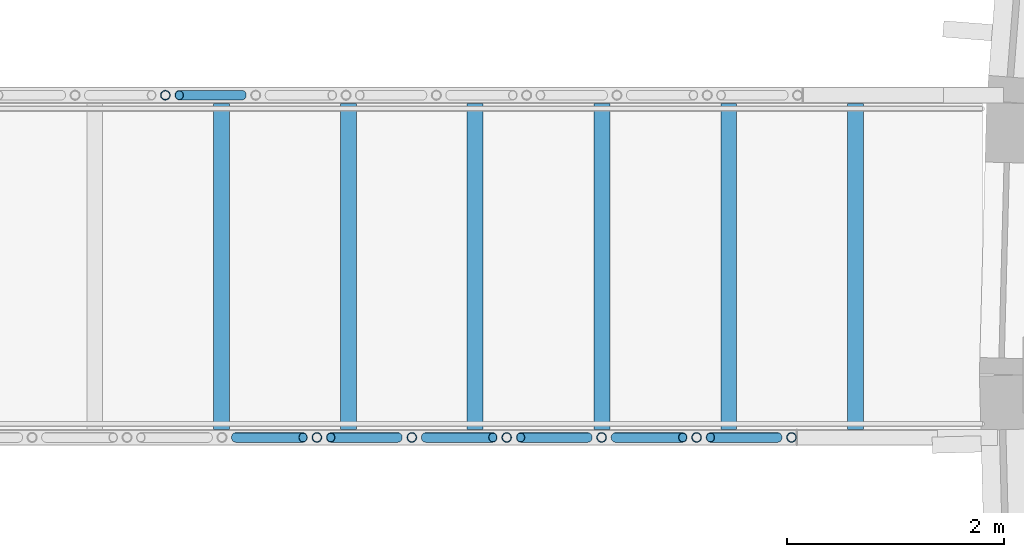
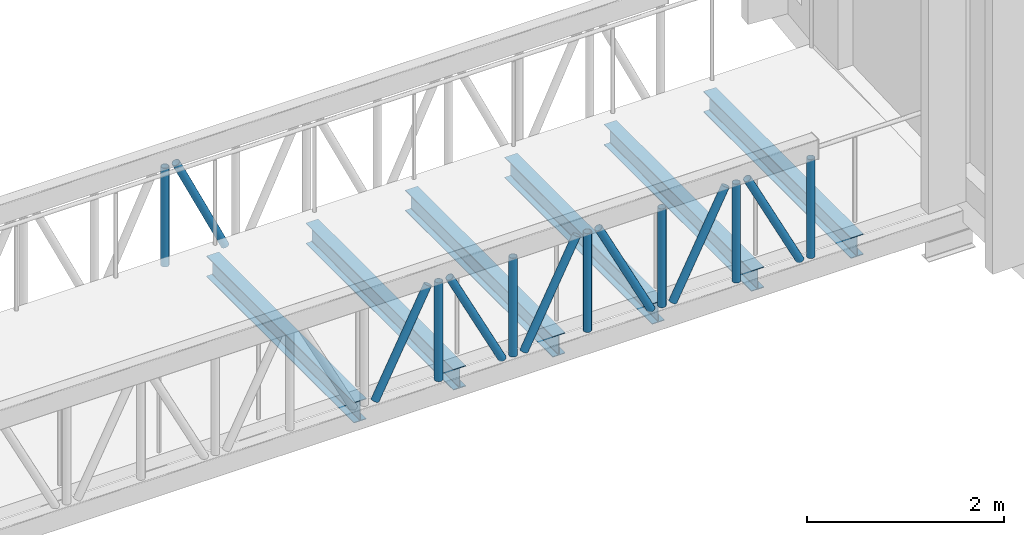
# One storey, part 28 of 93: 14 members, 6 beams.
"""IFC4 building model written with IfcOpenShell, lengths in metres."""

import ifcopenshell
import ifcopenshell.guid

model = None  # the IFC model being written
_history = None  # IfcOwnerHistory: only IFC2X3 demands one
_inside = {}  # id of a spatial element -> (the spatial element, [elements in it])
_under = {}  # id of a project, library or spatial element -> (it, [spatial elements below it])
_declared = {}  # id of a project -> (the project, [libraries it declares])
_typed = {}  # id of a type object -> (the type object, [elements of that type])
_made_of = {}  # id of a material, layer set ... -> (it, [elements and type objects made of it])


def new_model(schema):
    """Start an empty IFC model of exactly this schema.

    Asked for "IFC4X3", IfcOpenShell would pick the latest addendum, in which some entities
    have other attributes; the version numbers below select the first issue.
    IFC2X3 requires an IfcOwnerHistory on every rooted entity: one is made here for all.
    """
    global model, _history
    if schema == "IFC4X3":
        model = ifcopenshell.file(schema_version=(4, 3, 0, 0))
    else:
        model = ifcopenshell.file(schema=schema)
    _inside.clear()
    _under.clear()
    _declared.clear()
    _typed.clear()
    _made_of.clear()
    _history = None
    if model.schema == "IFC2X3":
        org = make("IfcOrganization", Name="unknown")
        user = make(
            "IfcPersonAndOrganization",
            ThePerson=make("IfcPerson", FamilyName="unknown"),
            TheOrganization=org,
        )
        app = make(
            "IfcApplication",
            ApplicationDeveloper=org,
            Version="unknown",
            ApplicationFullName="unknown",
            ApplicationIdentifier="unknown",
        )
        _history = make(
            "IfcOwnerHistory",
            OwningUser=user,
            OwningApplication=app,
            ChangeAction="ADDED",
            CreationDate=0,
        )
    return model


def make(cls, **values):
    """One entity of the class cls with the attributes given. An attribute that is None is left unset."""
    return model.create_entity(
        cls, **{name: value for name, value in values.items() if value is not None}
    )


def rooted(cls, **values):
    """An entity with a GlobalId (a new one), such as an element, a storey or a relation."""
    return make(cls, GlobalId=ifcopenshell.guid.new(), OwnerHistory=_history, **values)


def si_unit(unit_type, name, prefix=None):
    """IfcSIUnit, for example si_unit("LENGTHUNIT", "METRE", prefix="MILLI")."""
    return make("IfcSIUnit", UnitType=unit_type, Prefix=prefix, Name=name)


def assignment(units):
    """IfcUnitAssignment: the units of a project."""
    return None if units is None else make("IfcUnitAssignment", Units=units)


def point(xyz):
    """IfcCartesianPoint."""
    return None if xyz is None else make("IfcCartesianPoint", Coordinates=xyz)


def direction(xyz):
    """IfcDirection."""
    return None if xyz is None else make("IfcDirection", DirectionRatios=xyz)


def frame(location, z_axis=None, x_axis=None):
    """IfcAxis2Placement3D, a coordinate frame: its origin and axes. An axis left out is left unset."""
    return make(
        "IfcAxis2Placement3D",
        Location=point(location),
        Axis=direction(z_axis),
        RefDirection=direction(x_axis),
    )


def frame_2d(location, x_axis=None):
    """IfcAxis2Placement2D, a coordinate frame in the plane: its origin and x axis."""
    return make(
        "IfcAxis2Placement2D", Location=point(location), RefDirection=direction(x_axis)
    )


def origin():
    """The frame at (0, 0, 0) with its axes left unset."""
    return frame((0.0, 0.0, 0.0))


def origin_2d():
    """The frame at (0, 0) in the plane with its x axis left unset."""
    return frame_2d((0.0, 0.0))


def place(relative_to, where):
    """IfcLocalPlacement: puts the frame where relative to a parent placement (None: the world)."""
    return make(
        "IfcLocalPlacement", PlacementRelTo=relative_to, RelativePlacement=where
    )


def context(
    kind, dimensions, precision=None, world=None, true_north=None, identifier=None
):
    """IfcGeometricRepresentationContext, for example the 3D "Model" context."""
    return make(
        "IfcGeometricRepresentationContext",
        ContextIdentifier=identifier,
        ContextType=kind,
        CoordinateSpaceDimension=dimensions,
        Precision=precision,
        WorldCoordinateSystem=world,
        TrueNorth=true_north,
    )


def subcontext(parent, identifier, kind, view, scale=None):
    """IfcGeometricRepresentationSubContext, for example "Body" below "Model"."""
    return make(
        "IfcGeometricRepresentationSubContext",
        ContextIdentifier=identifier,
        ContextType=kind,
        ParentContext=parent,
        TargetScale=scale,
        TargetView=view,
    )


def project(units=None, contexts=None):
    """IfcProject with its units and contexts."""
    return rooted(
        "IfcProject",
        Name="project",
        RepresentationContexts=contexts,
        UnitsInContext=assignment(units),
    )


def spatial(cls, under=None, at=None, **own):
    """A site, building, storey or space (cls), placed at a placement, below another one or the project."""
    s = rooted(cls, ObjectPlacement=at, **own)
    if under is not None:
        _under.setdefault(under.id(), (under, []))[1].append(s)
    return s


def profile(cls, at=None, kind="AREA", **sizes):
    """A parametric profile (cls). Its sizes go by their IFC names, for example OverallWidth=200.0."""
    return make(cls, ProfileType=kind, Position=at, **sizes)


def hollow_circle(**sizes):
    """IfcCircleHollowProfileDef."""
    return profile("IfcCircleHollowProfileDef", **sizes)


def i_section(**sizes):
    """IfcIShapeProfileDef."""
    return profile("IfcIShapeProfileDef", **sizes)


def extrude(swept, where, along, depth):
    """IfcExtrudedAreaSolid: the profile swept, set in the frame where, extruded along a direction by depth."""
    return make(
        "IfcExtrudedAreaSolid",
        SweptArea=swept,
        Position=where,
        ExtrudedDirection=direction(along),
        Depth=depth,
    )


def shape(context_of_items, identifier, shape_type, items):
    """IfcShapeRepresentation: the items that make up one representation, for example the "Body"."""
    return make(
        "IfcShapeRepresentation",
        ContextOfItems=context_of_items,
        RepresentationIdentifier=identifier,
        RepresentationType=shape_type,
        Items=items,
    )


def material(Name=None, Category=None):
    """IfcMaterial."""
    return make("IfcMaterial", Name=Name, Category=Category)


def material_profile(
    of_material, cross_section, Name=None, Category=None, Priority=None
):
    """IfcMaterialProfile: a cross section and its material."""
    return make(
        "IfcMaterialProfile",
        Name=Name,
        Material=of_material,
        Profile=cross_section,
        Priority=Priority,
        Category=Category,
    )


def profile_set(profiles, Name=None, composite=None):
    """IfcMaterialProfileSet."""
    return make(
        "IfcMaterialProfileSet",
        Name=Name,
        MaterialProfiles=profiles,
        CompositeProfile=composite,
    )


def made_of(thing, what):
    """Note that an element or type object is made of a material, layer set ...; save() writes the relation."""
    if what is not None:
        _made_of.setdefault(what.id(), (what, []))[1].append(thing)
    return thing


def type_object(cls, material=None, **own):
    """A type object (cls), such as IfcWallType, which elements share."""
    return made_of(rooted(cls, **own), material)


def element(
    cls,
    number,
    at=None,
    inside=None,
    cuts=None,
    type_object=None,
    material=None,
    context=None,
    identifier="Body",
    shape_type=None,
    held_by="IfcProductDefinitionShape",
    body=None,
    shapes=None,
    **own,
):
    """One element of the class cls, such as IfcWall. Its Tag is "e" and its number.

    at: its placement. inside: the storey or other place that contains it. cuts: it is an
    opening in that element (IfcRelVoidsElement). A single representation is given by context,
    identifier, shape_type and body (its items); several are given by shapes. held_by: the class
    of the entity that holds the representations. save() writes the other relations.
    """
    e = rooted(cls, Tag="e%d" % number, ObjectPlacement=at, **own)
    if body is not None:
        shapes = [shape(context, identifier, shape_type, body)]
    if shapes is not None:
        e.Representation = make(held_by, Representations=shapes)
    if inside is not None:
        _inside.setdefault(inside.id(), (inside, []))[1].append(e)
    if cuts is not None:
        rooted(
            "IfcRelVoidsElement", RelatingBuildingElement=cuts, RelatedOpeningElement=e
        )
    if type_object is not None:
        _typed.setdefault(type_object.id(), (type_object, []))[1].append(e)
    return made_of(e, material)


def aggregate(whole, parts):
    """IfcRelAggregates: a whole, such as a stair, and the parts it consists of."""
    return rooted("IfcRelAggregates", RelatingObject=whole, RelatedObjects=parts)


def save(model, path):
    """Write the relations noted so far, then the file.

    IfcRelAggregates (storeys below a building ...), IfcRelContainedInSpatialStructure (elements
    in a storey), IfcRelDefinesByType, IfcRelAssociatesMaterial and IfcRelDeclares: one each for
    every whole, place, type object, material and project.
    """
    for whole, parts in _under.values():
        aggregate(whole, parts)
    for where, things in _inside.values():
        rooted(
            "IfcRelContainedInSpatialStructure",
            RelatedElements=things,
            RelatingStructure=where,
        )
    for kind, things in _typed.values():
        rooted("IfcRelDefinesByType", RelatedObjects=things, RelatingType=kind)
    for what, things in _made_of.values():
        rooted("IfcRelAssociatesMaterial", RelatedObjects=things, RelatingMaterial=what)
    for by, libraries in _declared.values():
        rooted("IfcRelDeclares", RelatingContext=by, RelatedDefinitions=libraries)
    model.write(path)


model = new_model("IFC4")

# Units and contexts
model_context = context("Model", 3, precision=1e-05, world=origin(), true_north=direction((0.0, 1.0)))
body_context = subcontext(model_context, "Body", "Model", "MODEL_VIEW")
ifc_project = project(units=[si_unit("LENGTHUNIT", "METRE"), si_unit("AREAUNIT", "SQUARE_METRE"), si_unit("VOLUMEUNIT", "CUBIC_METRE"), si_unit("PLANEANGLEUNIT", "RADIAN"), si_unit("MASSUNIT", "GRAM", prefix="KILO")], contexts=[model_context])

# Site, building, storey
site_placement = place(None, origin())
site = spatial("IfcSite", under=ifc_project, at=site_placement, CompositionType="ELEMENT")
building_placement = place(site_placement, origin())
building = spatial("IfcBuilding", under=site, at=building_placement, Name="Tide Square Theatres", CompositionType="ELEMENT")
storey_placement = place(building_placement, frame((0.0, 0.0, 5.39990234375)))
storey = spatial("IfcBuildingStorey", under=building, at=storey_placement, Name="L01", CompositionType="ELEMENT", Elevation=5.39990234375)

# Beams
ifc_material_1 = material(Name="Steel ASTM A572 Grade 50", Category="steel")
ifc_material_profile_1 = material_profile(ifc_material_1, i_section(OverallWidth=0.14599609375, OverallDepth=0.258056640625, WebThickness=0.006103515625, FlangeThickness=0.009033203125, FilletRadius=0.010009765625, at=origin_2d()))
ifc_profile_set_1 = profile_set([ifc_material_profile_1], Name="Steel ASTM A572 Grade 50")
beam_type = type_object("IfcBeamType", Name="Steel beam W 250 x 32.7", PredefinedType="BEAM", material=ifc_profile_set_1)
for number, where, z_axis, x_axis, name in (
    (1, (116.232421875, 47.5, -0.27978515625), (0.0, -1.0, 0.0), (1.0, 0.0, 0.0), "Bridge BR-E2 cross beam"),
    (2, (115.0654296875, 47.5, -0.27978515625), (0.0, -1.0, 0.0), (1.0, 0.0, 0.0), "Bridge BR-E2 cross beam"),
    (3, (113.898681640625, 47.5, -0.27978515625), (0.0, -1.0, 0.0), (1.0, 0.0, 0.0), "Bridge BR-E2 cross beam"),
    (4, (112.731689453125, 47.5, -0.27978515625), (0.0, -1.0, 0.0), (1.0, 0.0, 0.0), "Bridge BR-E2 cross beam"),
    (5, (111.56494140625, 47.5, -0.27978515625), (0.0, -1.0, 0.0), (1.0, 0.0, 0.0), "Bridge BR-E2 cross beam"),
    (6, (110.39794921875, 47.5, -0.27978515625), (0.0, -1.0, 0.0), (1.0, 0.0, 0.0), "Bridge BR-E2 cross beam"),
):
    element("IfcBeam", number, at=place(storey_placement, frame(where, z_axis=z_axis, x_axis=x_axis)), inside=storey, type_object=beam_type, Name=name, PredefinedType="BEAM", context=body_context, shape_type="SweptSolid", body=[
        extrude(i_section(OverallWidth=0.14599609375, OverallDepth=0.258056640625, WebThickness=0.006103515625, FlangeThickness=0.009033203125, FilletRadius=0.010009765625, at=origin_2d()), origin(), (0.0, 0.0, 1.0), 3.0),
    ])

# Members
ifc_material_2 = material(Name="Steel ASTM A500 Grade C", Category="steel")
ifc_material_profile_2 = material_profile(ifc_material_2, hollow_circle(Radius=0.04443359375, WallThickness=0.0048828125, at=origin_2d()))
ifc_profile_set_2 = profile_set([ifc_material_profile_2], Name="Steel ASTM A500 Grade C")
member_type_1 = type_object("IfcMemberType", Name="Steel brace CHS 88.9 x 5.0", PredefinedType="BRACE", material=ifc_profile_set_2)
member_placement = place(storey_placement, frame((110.584716796875, 47.574951171875, -0.14990234375), z_axis=(-0.425736247503, 0.0, 0.904847306214), x_axis=(0.0, -1.0, 0.0)))
element("IfcMember", 7, at=member_placement, inside=storey, type_object=member_type_1, Name="Bridge BR-E2 diagonal", PredefinedType="BRACE", context=body_context, shape_type="SweptSolid", body=[
    extrude(hollow_circle(Radius=0.04443359375, WallThickness=0.0048828125, at=origin_2d()), origin(), (0.0, 0.0, 1.0), 1.35400390625),
])
for number, where, z_axis, x_axis, name in (
    (8, (115.51611328125, 44.425048828125, -0.14990234375), (-0.450909540072, 0.0, 0.892569653681), (0.0, -1.0, 0.0), "Bridge BR-E2 diagonal"),
    (9, (114.642578125, 44.425048828125, 1.0751953125), (-0.451051231456, 0.0, -0.892498059719), (0.0, -1.0, 0.0), "Bridge BR-E2 diagonal"),
    (10, (113.768798828125, 44.425048828125, -0.14990234375), (-0.450909540072, 0.0, 0.892569653681), (0.0, -1.0, 0.0), "Bridge BR-E2 diagonal"),
    (11, (112.895263671875, 44.425048828125, 1.0751953125), (-0.451051231456, 0.0, -0.892498059719), (0.0, -1.0, 0.0), "Bridge BR-E2 diagonal"),
    (12, (112.021484375, 44.425048828125, -0.14990234375), (-0.450909540072, 0.0, 0.892569653681), (0.0, -1.0, 0.0), "Bridge BR-E2 diagonal"),
    (13, (111.14794921875, 44.425048828125, 1.0751953125), (-0.451051231456, 0.0, -0.892498059719), (0.0, -1.0, 0.0), "Bridge BR-E2 diagonal"),
):
    element("IfcMember", number, at=place(storey_placement, frame(where, z_axis=z_axis, x_axis=x_axis)), inside=storey, type_object=member_type_1, Name=name, PredefinedType="BRACE", context=body_context, shape_type="SweptSolid", body=[
        extrude(hollow_circle(Radius=0.04443359375, WallThickness=0.0048828125, at=origin_2d()), origin(), (0.0, 0.0, 1.0), 1.37255859375),
    ])
ifc_material_3 = material(Name="Steel ASTM A500 Grade C", Category="steel")
ifc_material_profile_3 = material_profile(ifc_material_3, hollow_circle(Radius=0.04443359375, WallThickness=0.0048828125, at=origin_2d()))
ifc_profile_set_3 = profile_set([ifc_material_profile_3], Name="Steel ASTM A500 Grade C")
member_type_2 = type_object("IfcMemberType", Name="Steel strut CHS 88.9 x 5.0", PredefinedType="STRUT", material=ifc_profile_set_3)
for number, where, z_axis, x_axis, name in (
    (14, (109.881103515625, 47.574951171875, -0.14990234375), (0.0, 0.0, 1.0), (1.0, 0.0, 0.0), "Bridge BR-E2 post"),
    (15, (115.6435546875, 44.425048828125, -0.14990234375), (0.0, 0.0, 1.0), (1.0, 0.0, 0.0), "Bridge BR-E2 post"),
    (16, (114.77001953125, 44.425048828125, -0.14990234375), (0.0, 0.0, 1.0), (1.0, 0.0, 0.0), "Bridge BR-E2 post"),
    (17, (113.896240234375, 44.425048828125, -0.14990234375), (0.0, 0.0, 1.0), (1.0, 0.0, 0.0), "Bridge BR-E2 post"),
    (18, (113.0224609375, 44.425048828125, -0.14990234375), (0.0, 0.0, 1.0), (1.0, 0.0, 0.0), "Bridge BR-E2 post"),
    (19, (112.14892578125, 44.425048828125, -0.14990234375), (0.0, 0.0, 1.0), (1.0, 0.0, 0.0), "Bridge BR-E2 post"),
    (20, (111.275146484375, 44.425048828125, -0.14990234375), (0.0, 0.0, 1.0), (1.0, 0.0, 0.0), "Bridge BR-E2 post"),
):
    element("IfcMember", number, at=place(storey_placement, frame(where, z_axis=z_axis, x_axis=x_axis)), inside=storey, type_object=member_type_2, Name=name, PredefinedType="STRUT", context=body_context, shape_type="SweptSolid", body=[
        extrude(hollow_circle(Radius=0.04443359375, WallThickness=0.0048828125, at=origin_2d()), origin(), (0.0, 0.0, 1.0), 1.22509765625),
    ])

save(model, "model.ifc")
